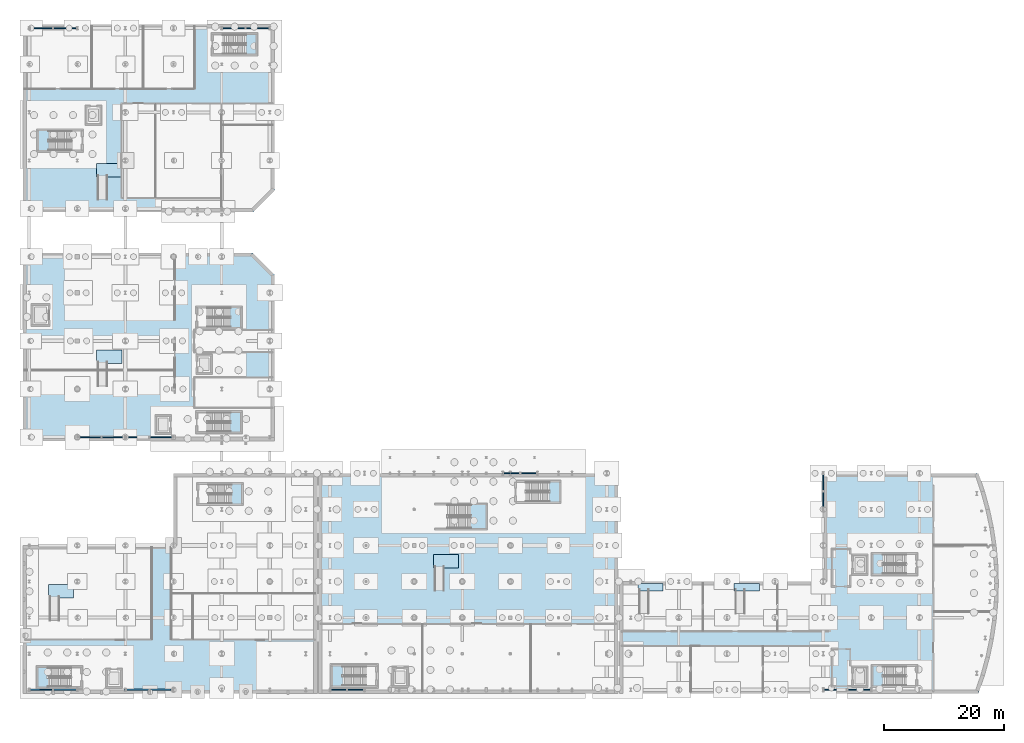
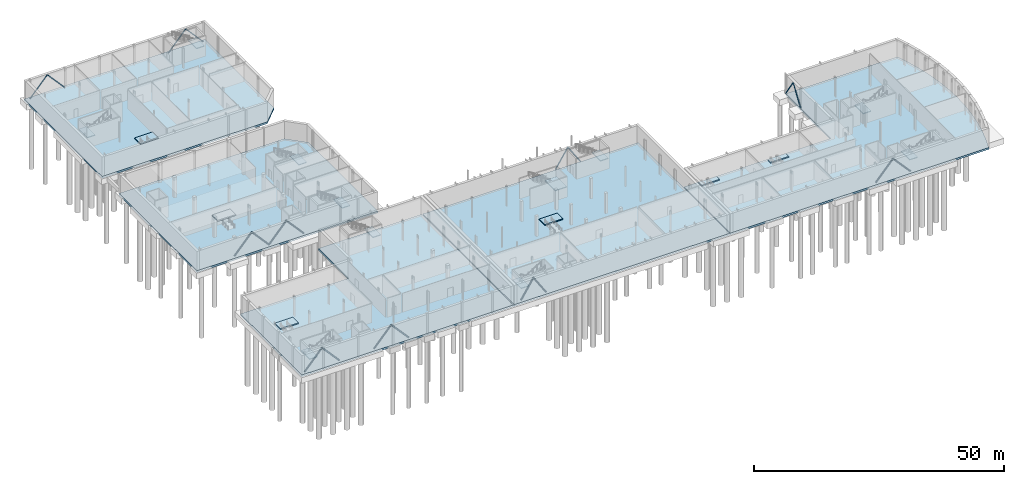
# One storey, part 17 of 47: 22 slabs, 20 members, 11 elements without a shape of their own.
"""IFC4 building model written with IfcOpenShell, lengths in metres."""

from ifc_helpers import new_model, si_unit, direction, frame, origin, origin_2d, place, context, subcontext, project, spatial, polyline, hollow_rectangle, hollow_circle, outline, extrude, material, layer, layer_set, material_profile, profile_set, type_object, element, aggregate, save


model = new_model("IFC4")

# Units and contexts
model_context = context("Model", 3, precision=1e-05, world=origin(), true_north=direction((0.0, 1.0)))
body_context = subcontext(model_context, "Body", "Model", "MODEL_VIEW")
ifc_project = project(units=[si_unit("LENGTHUNIT", "METRE"), si_unit("AREAUNIT", "SQUARE_METRE"), si_unit("VOLUMEUNIT", "CUBIC_METRE"), si_unit("PLANEANGLEUNIT", "RADIAN"), si_unit("MASSUNIT", "GRAM", prefix="KILO")], contexts=[model_context])

# Site, building, storey
site_placement = place(None, origin())
site = spatial("IfcSite", under=ifc_project, at=site_placement, CompositionType="ELEMENT")
building_placement = place(site_placement, origin())
building = spatial("IfcBuilding", under=site, at=building_placement, Name="Cymarion Research Institute", CompositionType="ELEMENT")
storey_placement = place(building_placement, frame((0.0, 0.0, -5.0)))
storey = spatial("IfcBuildingStorey", under=building, at=storey_placement, Name="B1", CompositionType="ELEMENT", Elevation=-5.0)

# Members
ifc_material_1 = material(Name="Steel S355", Category="steel")
ifc_material_profile_1 = material_profile(ifc_material_1, hollow_circle(Radius=0.122314453125, WallThickness=0.012451171875, at=origin_2d()), Name="CHS 244.5x12.5")
ifc_profile_set_1 = profile_set([ifc_material_profile_1], Name="Steel S355")
member_type_1 = type_object("IfcMemberType", Name="STRUCTURAL MEMBER BR03 CHS 244.5x12.5", PredefinedType="BRACE", material=ifc_profile_set_1)
for number, where, z_axis, x_axis, name in (
    (1, (138.60009765625, 35.51123046875, 0.1201171875), (0.0, 0.557698419141, 0.830043657459), (-1.0, 0.0, 0.0), "B1 V1 seismic chevron brace BR03 #1"),
    (2, (138.60009765625, 41.48876953125, 0.1201171875), (0.0, -0.557698419141, 0.830043657459), (1.0, 0.0, 0.0), "B1 V1 seismic chevron brace BR03 #2"),
):
    element("IfcMember", number, at=place(storey_placement, frame(where, z_axis=z_axis, x_axis=x_axis)), inside=storey, type_object=member_type_1, Name=name, PredefinedType="BRACE", context=body_context, shape_type="SweptSolid", body=[
        extrude(hollow_circle(Radius=0.122314453125, WallThickness=0.012451171875, at=origin_2d()), origin(), (0.0, 0.0, 1.0), 5.34912109375),
    ])
for number, where, z_axis, x_axis, name in (
    (3, (6.61328125, 115.5, 0.1201171875), (0.667483960514, 0.0, 0.74462417531), (0.0, 1.0, 0.0), "B1 V5 seismic chevron brace BR03 #1"),
    (4, (14.586669921875, 115.5, 0.1201171875), (-0.667483960514, 0.0, 0.74462417531), (0.0, -1.0, 0.0), "B1 V5 seismic chevron brace BR03 #2"),
    (5, (38.61328125, 115.5, 0.1201171875), (0.667483960514, 0.0, 0.74462417531), (0.0, 1.0, 0.0), "B1 V5 seismic chevron brace BR03 #1"),
    (6, (46.586669921875, 115.5, 0.1201171875), (-0.667483960514, 0.0, 0.74462417531), (0.0, -1.0, 0.0), "B1 V5 seismic chevron brace BR03 #2"),
):
    element("IfcMember", number, at=place(storey_placement, frame(where, z_axis=z_axis, x_axis=x_axis)), inside=storey, type_object=member_type_1, Name=name, PredefinedType="BRACE", context=body_context, shape_type="SweptSolid", body=[
        extrude(hollow_circle(Radius=0.122314453125, WallThickness=0.012451171875, at=origin_2d()), origin(), (0.0, 0.0, 1.0), 5.962646484375),
    ])
ifc_material_profile_2 = material_profile(ifc_material_1, hollow_circle(Radius=0.136474609375, WallThickness=0.012451171875, at=origin_2d()), Name="CHS 273.0x12.5")
ifc_profile_set_2 = profile_set([ifc_material_profile_2], Name="Steel S355")
member_type_2 = type_object("IfcMemberType", Name="STRUCTURAL MEMBER BR04 CHS 273.0x12.5", PredefinedType="BRACE", material=ifc_profile_set_2)
for number, where, z_axis, x_axis, name in (
    (7, (138.61328125, 5.5, 0.1201171875), (0.667483960514, 0.0, 0.74462417531), (0.0, 1.0, 0.0), "B1 V1 seismic chevron brace BR04 #1"),
    (8, (146.586669921875, 5.5, 0.1201171875), (-0.667483960514, 0.0, 0.74462417531), (0.0, -1.0, 0.0), "B1 V1 seismic chevron brace BR04 #2"),
):
    element("IfcMember", number, at=place(storey_placement, frame(where, z_axis=z_axis, x_axis=x_axis)), inside=storey, type_object=member_type_2, Name=name, PredefinedType="BRACE", context=body_context, shape_type="SweptSolid", body=[
        extrude(hollow_circle(Radius=0.136474609375, WallThickness=0.012451171875, at=origin_2d()), origin(), (0.0, 0.0, 1.0), 5.962646484375),
    ])
for number, where, z_axis, x_axis, name in (
    (9, (56.61083984375, 5.5, 0.1201171875), (0.541346308141, 0.0, 0.840799723277), (0.0, 1.0, 0.0), "B1 V2 seismic chevron brace BR04 #1"),
    (10, (62.339111328125, 5.5, 0.1201171875), (-0.541346308141, 0.0, 0.840799723277), (0.0, -1.0, 0.0), "B1 V2 seismic chevron brace BR04 #2"),
    (11, (85.36083984375, 41.5, 0.1201171875), (0.541346308141, 0.0, 0.840799723277), (0.0, 1.0, 0.0), "B1 V2 seismic chevron brace BR04 #1"),
    (12, (91.089111328125, 41.5, 0.1201171875), (-0.541346308141, 0.0, 0.840799723277), (0.0, -1.0, 0.0), "B1 V2 seismic chevron brace BR04 #2"),
):
    element("IfcMember", number, at=place(storey_placement, frame(where, z_axis=z_axis, x_axis=x_axis)), inside=storey, type_object=member_type_2, Name=name, PredefinedType="BRACE", context=body_context, shape_type="SweptSolid", body=[
        extrude(hollow_circle(Radius=0.136474609375, WallThickness=0.012451171875, at=origin_2d()), origin(), (0.0, 0.0, 1.0), 5.280517578125),
    ])
for number, where, z_axis, x_axis, name in (
    (13, (14.61328125, 47.5, 0.1201171875), (0.667483960514, 0.0, 0.74462417531), (0.0, 1.0, 0.0), "B1 V4 seismic chevron brace BR04 #1"),
    (14, (22.586669921875, 47.5, 0.1201171875), (-0.667483960514, 0.0, 0.74462417531), (0.0, -1.0, 0.0), "B1 V4 seismic chevron brace BR04 #2"),
    (15, (22.61328125, 47.5, 0.1201171875), (0.667483960514, 0.0, 0.74462417531), (0.0, 1.0, 0.0), "B1 V4 seismic chevron brace BR04 #1"),
    (16, (30.586669921875, 47.5, 0.1201171875), (-0.667483960514, 0.0, 0.74462417531), (0.0, -1.0, 0.0), "B1 V4 seismic chevron brace BR04 #2"),
):
    element("IfcMember", number, at=place(storey_placement, frame(where, z_axis=z_axis, x_axis=x_axis)), inside=storey, type_object=member_type_2, Name=name, PredefinedType="BRACE", context=body_context, shape_type="SweptSolid", body=[
        extrude(hollow_circle(Radius=0.136474609375, WallThickness=0.012451171875, at=origin_2d()), origin(), (0.0, 0.0, 1.0), 5.962646484375),
    ])
ifc_material_profile_3 = material_profile(ifc_material_1, hollow_rectangle(XDim=0.14990234375, YDim=0.25, WallThickness=0.010009765625, InnerFilletRadius=0.014892578125, OuterFilletRadius=0.02490234375, at=origin_2d()), Name="RHS 250x150x10")
ifc_profile_set_3 = profile_set([ifc_material_profile_3], Name="Steel S355")
member_type_3 = type_object("IfcMemberType", Name="STRUCTURAL MEMBER BR09 RHS 250x150x10", PredefinedType="BRACE", material=ifc_profile_set_3)
for number, where, z_axis, x_axis, name in (
    (17, (6.61328125, 5.5, 0.1201171875), (0.667483960514, 0.0, 0.74462417531), (0.0, 1.0, 0.0), "B1 V3 seismic chevron brace BR09 #1"),
    (18, (14.586669921875, 5.5, 0.1201171875), (-0.667483960514, 0.0, 0.74462417531), (0.0, -1.0, 0.0), "B1 V3 seismic chevron brace BR09 #2"),
    (19, (22.61328125, 5.5, 0.1201171875), (0.667483960514, 0.0, 0.74462417531), (0.0, 1.0, 0.0), "B1 V3 seismic chevron brace BR09 #1"),
    (20, (30.586669921875, 5.5, 0.1201171875), (-0.667483960514, 0.0, 0.74462417531), (0.0, -1.0, 0.0), "B1 V3 seismic chevron brace BR09 #2"),
):
    element("IfcMember", number, at=place(storey_placement, frame(where, z_axis=z_axis, x_axis=x_axis)), inside=storey, type_object=member_type_3, Name=name, PredefinedType="BRACE", context=body_context, shape_type="SweptSolid", body=[
        extrude(hollow_rectangle(XDim=0.14990234375, YDim=0.25, WallThickness=0.010009765625, InnerFilletRadius=0.014892578125, OuterFilletRadius=0.02490234375, at=origin_2d()), origin(), (0.0, 0.0, 1.0), 5.962646484375),
    ])

# Slabs
ifc_material_2 = material(Name="Concrete C35/45", Category="concrete")
ifc_layer_1 = layer(ifc_material_2, 0.449951171875)
ifc_layer_set_1 = layer_set([ifc_layer_1], Name="Concrete C35/45")
slab_type_1 = type_object("IfcSlabType", Name="BASE SLAB SL-BS450 450MM", PredefinedType="BASESLAB", material=ifc_layer_set_1)
slab_1_placement = place(storey_placement, frame((0.0, 0.0, -0.449951171875)))
element("IfcSlab", 21, at=slab_1_placement, inside=storey, type_object=slab_type_1, Name="B1 V1 base slab", PredefinedType="BASESLAB", context=body_context, shape_type="SweptSolid", body=[
    extrude(outline(polyline([(104.699951171875, 4.89990234375), (164.39990234375, 4.89990234375), (165.40869140625, 7.848388671875), (166.2392578125, 10.85205078125), (166.88818359375, 13.900146484375), (167.353271484375, 16.9814453125), (167.633056640625, 20.085205078125), (167.7265625, 23.199951171875), (167.633056640625, 26.31494140625), (167.353271484375, 29.418701171875), (166.88818359375, 32.5), (166.2392578125, 35.5478515625), (165.40869140625, 38.551513671875), (164.39990234375, 41.5), (138.60009765625, 41.5), (138.60009765625, 23.5), (104.699951171875, 23.5), (104.699951171875, 4.89990234375)])), origin(), (0.0, 0.0, 1.0), 0.449951171875),
])
slab_2_placement = place(storey_placement, frame((0.0, 0.0, -0.449951171875)))
element("IfcSlab", 22, at=slab_2_placement, inside=storey, type_object=slab_type_1, Name="B1 V2 base slab", PredefinedType="BASESLAB", context=body_context, shape_type="SweptSolid", body=[
    extrude(outline(polyline([(54.699951171875, 4.89990234375), (104.5, 4.89990234375), (104.5, 41.5), (54.699951171875, 41.5), (54.699951171875, 4.89990234375)])), origin(), (0.0, 0.0, 1.0), 0.449951171875),
])
slab_3_placement = place(storey_placement, frame((0.0, 0.0, -0.449951171875)))
element("IfcSlab", 23, at=slab_3_placement, inside=storey, type_object=slab_type_1, Name="B1 V3 base slab", PredefinedType="BASESLAB", context=body_context, shape_type="SweptSolid", body=[
    extrude(outline(polyline([(5.60009765625, 4.89990234375), (54.5, 4.89990234375), (54.5, 41.5), (30.60009765625, 41.5), (30.60009765625, 29.5), (5.60009765625, 29.5), (5.60009765625, 4.89990234375)])), origin(), (0.0, 0.0, 1.0), 0.449951171875),
])
slab_4_placement = place(storey_placement, frame((0.0, 0.0, -0.449951171875)))
element("IfcSlab", 24, at=slab_4_placement, inside=storey, type_object=slab_type_1, Name="B1 V4 base slab", PredefinedType="BASESLAB", context=body_context, shape_type="SweptSolid", body=[
    extrude(outline(polyline([(5.60009765625, 46.89990234375), (47.39990234375, 46.89990234375), (47.39990234375, 74.5), (43.800048828125, 78.10009765625), (5.60009765625, 78.10009765625), (5.60009765625, 46.89990234375)])), origin(), (0.0, 0.0, 1.0), 0.449951171875),
])
slab_5_placement = place(storey_placement, frame((0.0, 0.0, -0.449951171875)))
element("IfcSlab", 25, at=slab_5_placement, inside=storey, type_object=slab_type_1, Name="B1 V5 base slab", PredefinedType="BASESLAB", context=body_context, shape_type="SweptSolid", body=[
    extrude(outline(polyline([(5.60009765625, 84.89990234375), (43.800048828125, 84.89990234375), (47.39990234375, 88.5), (47.39990234375, 116.10009765625), (5.60009765625, 116.10009765625), (5.60009765625, 84.89990234375)])), origin(), (0.0, 0.0, 1.0), 0.449951171875),
])
ifc_layer_2 = layer(ifc_material_2, 0.25)
ifc_layer_set_2 = layer_set([ifc_layer_2], Name="Concrete C35/45")
slab_type_2 = type_object("IfcSlabType", Name="COMPOSITE FLOOR SLAB SL-PL250 250MM", PredefinedType="FLOOR", material=ifc_layer_set_2)
slab_6_placement = place(storey_placement, origin())
element("IfcSlab", 26, at=slab_6_placement, inside=storey, type_object=slab_type_2, Name="B1 vibration-isolated laboratory plinth 1", PredefinedType="FLOOR", context=body_context, shape_type="SweptSolid", body=[
    extrude(outline(polyline([(107.800048828125, 21.949951171875), (112.0, 21.949951171875), (112.0, 23.199951171875), (107.800048828125, 23.199951171875), (107.800048828125, 21.949951171875)])), origin(), (0.0, 0.0, 1.0), 0.25),
])
slab_7_placement = place(storey_placement, origin())
element("IfcSlab", 27, at=slab_7_placement, inside=storey, type_object=slab_type_2, Name="B1 vibration-isolated laboratory plinth 2", PredefinedType="FLOOR", context=body_context, shape_type="SweptSolid", body=[
    extrude(outline(polyline([(123.800048828125, 21.949951171875), (128.0, 21.949951171875), (128.0, 23.199951171875), (123.800048828125, 23.199951171875), (123.800048828125, 21.949951171875)])), origin(), (0.0, 0.0, 1.0), 0.25),
])
slab_8_placement = place(storey_placement, origin())
element("IfcSlab", 28, at=slab_8_placement, inside=storey, type_object=slab_type_2, Name="B1 vibration-isolated laboratory plinth 3", PredefinedType="FLOOR", context=body_context, shape_type="SweptSolid", body=[
    extrude(outline(polyline([(73.800048828125, 25.75), (78.0, 25.75), (78.0, 28.0), (73.800048828125, 28.0), (73.800048828125, 25.75)])), origin(), (0.0, 0.0, 1.0), 0.25),
])
slab_9_placement = place(storey_placement, origin())
element("IfcSlab", 29, at=slab_9_placement, inside=storey, type_object=slab_type_2, Name="B1 vibration-isolated laboratory plinth 4", PredefinedType="FLOOR", context=body_context, shape_type="SweptSolid", body=[
    extrude(outline(polyline([(9.800048828125, 20.75), (14.0, 20.75), (14.0, 23.0), (9.800048828125, 23.0), (9.800048828125, 20.75)])), origin(), (0.0, 0.0, 1.0), 0.25),
])
slab_10_placement = place(storey_placement, origin())
element("IfcSlab", 30, at=slab_10_placement, inside=storey, type_object=slab_type_2, Name="B1 vibration-isolated laboratory plinth 5", PredefinedType="FLOOR", context=body_context, shape_type="SweptSolid", body=[
    extrude(outline(polyline([(17.800048828125, 59.75), (22.0, 59.75), (22.0, 62.0), (17.800048828125, 62.0), (17.800048828125, 59.75)])), origin(), (0.0, 0.0, 1.0), 0.25),
])
slab_11_placement = place(storey_placement, origin())
element("IfcSlab", 31, at=slab_11_placement, inside=storey, type_object=slab_type_2, Name="B1 vibration-isolated laboratory plinth 6", PredefinedType="FLOOR", context=body_context, shape_type="SweptSolid", body=[
    extrude(outline(polyline([(17.800048828125, 90.75), (22.0, 90.75), (22.0, 93.0), (17.800048828125, 93.0), (17.800048828125, 90.75)])), origin(), (0.0, 0.0, 1.0), 0.25),
])

# Stair, slab
stair_type = type_object("IfcStairType", Name="REINFORCED CONCRETE DOGLEG STAIR STR-5000", PredefinedType="HALF_TURN_STAIR", material=ifc_material_2)
stair_1_placement = place(storey_placement, origin())
stair_1 = element("IfcStair", 32, at=stair_1_placement, inside=storey, type_object=stair_type, Name="B1 Core C1 Smoke-Proof Exit Stair ST1", PredefinedType="HALF_TURN_STAIR")
ifc_layer_3 = layer(ifc_material_2, 0.199951171875)
ifc_layer_set_3 = layer_set([ifc_layer_3], Name="Concrete C35/45")
slab_type_3 = type_object("IfcSlabType", Name="REINFORCED CONCRETE STAIR LANDING LDG200", PredefinedType="LANDING", material=ifc_layer_set_3)
slab_12_placement = place(storey_placement, frame((0.0, 0.0, 2.300048828125)))
slab_12 = element("IfcSlab", 33, at=slab_12_placement, type_object=slab_type_3, Name="ST1 landing 1", PredefinedType="LANDING", context=body_context, shape_type="SweptSolid", body=[
    extrude(outline(polyline([(148.6201171875, 9.52001953125), (148.6201171875, 6.080078125), (146.780029296875, 6.080078125), (146.780029296875, 9.52001953125), (148.6201171875, 9.52001953125)])), origin(), (0.0, 0.0, 1.0), 0.199951171875),
])
aggregate(stair_1, [slab_12])

stair_2_placement = place(storey_placement, origin())
stair_2 = element("IfcStair", 34, at=stair_2_placement, inside=storey, type_object=stair_type, Name="B1 Core C2 Smoke-Proof Exit Stair ST2", PredefinedType="HALF_TURN_STAIR")
slab_13_placement = place(storey_placement, frame((0.0, 0.0, 2.300048828125)))
slab_13 = element("IfcSlab", 35, at=slab_13_placement, type_object=slab_type_3, Name="ST2 landing 1", PredefinedType="LANDING", context=body_context, shape_type="SweptSolid", body=[
    extrude(outline(polyline([(148.6201171875, 28.1201171875), (148.6201171875, 24.679931640625), (146.780029296875, 24.679931640625), (146.780029296875, 28.1201171875), (148.6201171875, 28.1201171875)])), origin(), (0.0, 0.0, 1.0), 0.199951171875),
])
aggregate(stair_2, [slab_13])

stair_3_placement = place(storey_placement, origin())
stair_3 = element("IfcStair", 36, at=stair_3_placement, inside=storey, type_object=stair_type, Name="B1 Core C3 Smoke-Proof Exit Stair ST3", PredefinedType="HALF_TURN_STAIR")
slab_14_placement = place(storey_placement, frame((0.0, 0.0, 2.300048828125)))
slab_14 = element("IfcSlab", 37, at=slab_14_placement, type_object=slab_type_3, Name="ST3 landing 1", PredefinedType="LANDING", context=body_context, shape_type="SweptSolid", body=[
    extrude(outline(polyline([(58.820068359375, 9.52001953125), (58.820068359375, 6.080078125), (56.97998046875, 6.080078125), (56.97998046875, 9.52001953125), (58.820068359375, 9.52001953125)])), origin(), (0.0, 0.0, 1.0), 0.199951171875),
])
aggregate(stair_3, [slab_14])

stair_4_placement = place(storey_placement, origin())
stair_4 = element("IfcStair", 38, at=stair_4_placement, inside=storey, type_object=stair_type, Name="B1 Core C4 Smoke-Proof Exit Stair ST4", PredefinedType="HALF_TURN_STAIR")
slab_15_placement = place(storey_placement, frame((0.0, 0.0, 2.300048828125)))
slab_15 = element("IfcSlab", 39, at=slab_15_placement, type_object=slab_type_3, Name="ST4 landing 1", PredefinedType="LANDING", context=body_context, shape_type="SweptSolid", body=[
    extrude(outline(polyline([(92.97998046875, 36.679931640625), (92.97998046875, 40.1201171875), (94.820068359375, 40.1201171875), (94.820068359375, 36.679931640625), (92.97998046875, 36.679931640625)])), origin(), (0.0, 0.0, 1.0), 0.199951171875),
])
aggregate(stair_4, [slab_15])

stair_5_placement = place(storey_placement, origin())
stair_5 = element("IfcStair", 40, at=stair_5_placement, inside=storey, type_object=stair_type, Name="B1 Core C5 Smoke-Proof Exit Stair ST5", PredefinedType="HALF_TURN_STAIR")
slab_16_placement = place(storey_placement, frame((0.0, 0.0, 2.300048828125)))
slab_16 = element("IfcSlab", 41, at=slab_16_placement, type_object=slab_type_3, Name="ST5 landing 1", PredefinedType="LANDING", context=body_context, shape_type="SweptSolid", body=[
    extrude(outline(polyline([(9.820068359375, 9.320068359375), (9.820068359375, 5.8798828125), (7.97998046875, 5.8798828125), (7.97998046875, 9.320068359375), (9.820068359375, 9.320068359375)])), origin(), (0.0, 0.0, 1.0), 0.199951171875),
])
aggregate(stair_5, [slab_16])

stair_6_placement = place(storey_placement, origin())
stair_6 = element("IfcStair", 42, at=stair_6_placement, inside=storey, type_object=stair_type, Name="B1 Core C6 Smoke-Proof Exit Stair ST6", PredefinedType="HALF_TURN_STAIR")
slab_17_placement = place(storey_placement, frame((0.0, 0.0, 2.300048828125)))
slab_17 = element("IfcSlab", 43, at=slab_17_placement, type_object=slab_type_3, Name="ST6 landing 1", PredefinedType="LANDING", context=body_context, shape_type="SweptSolid", body=[
    extrude(outline(polyline([(40.179931640625, 36.330078125), (40.179931640625, 39.77001953125), (42.02001953125, 39.77001953125), (42.02001953125, 36.330078125), (40.179931640625, 36.330078125)])), origin(), (0.0, 0.0, 1.0), 0.199951171875),
])
aggregate(stair_6, [slab_17])

stair_7_placement = place(storey_placement, origin())
stair_7 = element("IfcStair", 44, at=stair_7_placement, inside=storey, type_object=stair_type, Name="B1 Core C7 Smoke-Proof Exit Stair ST7", PredefinedType="HALF_TURN_STAIR")
slab_18_placement = place(storey_placement, frame((0.0, 0.0, 2.300048828125)))
slab_18 = element("IfcSlab", 45, at=slab_18_placement, type_object=slab_type_3, Name="ST7 landing 1", PredefinedType="LANDING", context=body_context, shape_type="SweptSolid", body=[
    extrude(outline(polyline([(39.97998046875, 48.280029296875), (39.97998046875, 51.719970703125), (41.820068359375, 51.719970703125), (41.820068359375, 48.280029296875), (39.97998046875, 48.280029296875)])), origin(), (0.0, 0.0, 1.0), 0.199951171875),
])
aggregate(stair_7, [slab_18])

stair_8_placement = place(storey_placement, origin())
stair_8 = element("IfcStair", 46, at=stair_8_placement, inside=storey, type_object=stair_type, Name="B1 Core C8 Smoke-Proof Exit Stair ST8", PredefinedType="HALF_TURN_STAIR")
slab_19_placement = place(storey_placement, frame((0.0, 0.0, 2.300048828125)))
slab_19 = element("IfcSlab", 47, at=slab_19_placement, type_object=slab_type_3, Name="ST8 landing 1", PredefinedType="LANDING", context=body_context, shape_type="SweptSolid", body=[
    extrude(outline(polyline([(39.97998046875, 65.679931640625), (39.97998046875, 69.1201171875), (41.820068359375, 69.1201171875), (41.820068359375, 65.679931640625), (39.97998046875, 65.679931640625)])), origin(), (0.0, 0.0, 1.0), 0.199951171875),
])
aggregate(stair_8, [slab_19])

stair_9_placement = place(storey_placement, origin())
stair_9 = element("IfcStair", 48, at=stair_9_placement, inside=storey, type_object=stair_type, Name="B1 Core C9 Smoke-Proof Exit Stair ST9", PredefinedType="HALF_TURN_STAIR")
slab_20_placement = place(storey_placement, frame((0.0, 0.0, 2.300048828125)))
slab_20 = element("IfcSlab", 49, at=slab_20_placement, type_object=slab_type_3, Name="ST9 landing 1", PredefinedType="LANDING", context=body_context, shape_type="SweptSolid", body=[
    extrude(outline(polyline([(9.919921875, 98.52001953125), (9.919921875, 95.080078125), (8.080078125, 95.080078125), (8.080078125, 98.52001953125), (9.919921875, 98.52001953125)])), origin(), (0.0, 0.0, 1.0), 0.199951171875),
])
aggregate(stair_9, [slab_20])

stair_10_placement = place(storey_placement, origin())
stair_10 = element("IfcStair", 50, at=stair_10_placement, inside=storey, type_object=stair_type, Name="B1 Core C10 Smoke-Proof Exit Stair ST10", PredefinedType="HALF_TURN_STAIR")
slab_21_placement = place(storey_placement, frame((0.0, 0.0, 2.300048828125)))
slab_21 = element("IfcSlab", 51, at=slab_21_placement, type_object=slab_type_3, Name="ST10 landing 1", PredefinedType="LANDING", context=body_context, shape_type="SweptSolid", body=[
    extrude(outline(polyline([(42.580078125, 111.080078125), (42.580078125, 114.52001953125), (44.419921875, 114.52001953125), (44.419921875, 111.080078125), (42.580078125, 111.080078125)])), origin(), (0.0, 0.0, 1.0), 0.199951171875),
])
aggregate(stair_10, [slab_21])

stair_11_placement = place(storey_placement, origin())
stair_11 = element("IfcStair", 52, at=stair_11_placement, inside=storey, type_object=stair_type, Name="B1 Monumental Concourse Stair ST11", PredefinedType="HALF_TURN_STAIR")
slab_22_placement = place(storey_placement, frame((0.0, 0.0, 2.300048828125)))
slab_22 = element("IfcSlab", 53, at=slab_22_placement, type_object=slab_type_3, Name="ST11 landing 1", PredefinedType="LANDING", context=body_context, shape_type="SweptSolid", body=[
    extrude(outline(polyline([(79.929931640625, 32.22998046875), (79.929931640625, 36.3701171875), (82.6201171875, 36.3701171875), (82.6201171875, 32.22998046875), (79.929931640625, 32.22998046875)])), origin(), (0.0, 0.0, 1.0), 0.199951171875),
])
aggregate(stair_11, [slab_22])

save(model, "model.ifc")
